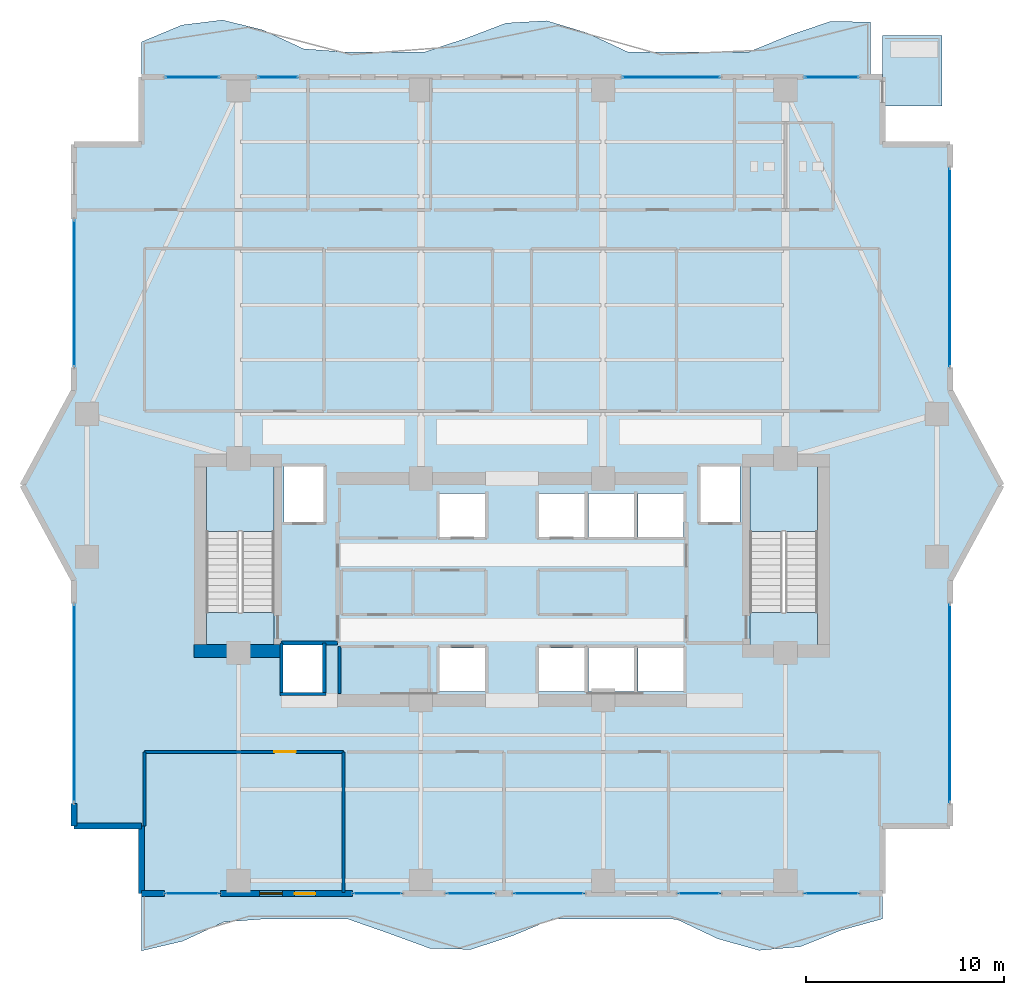
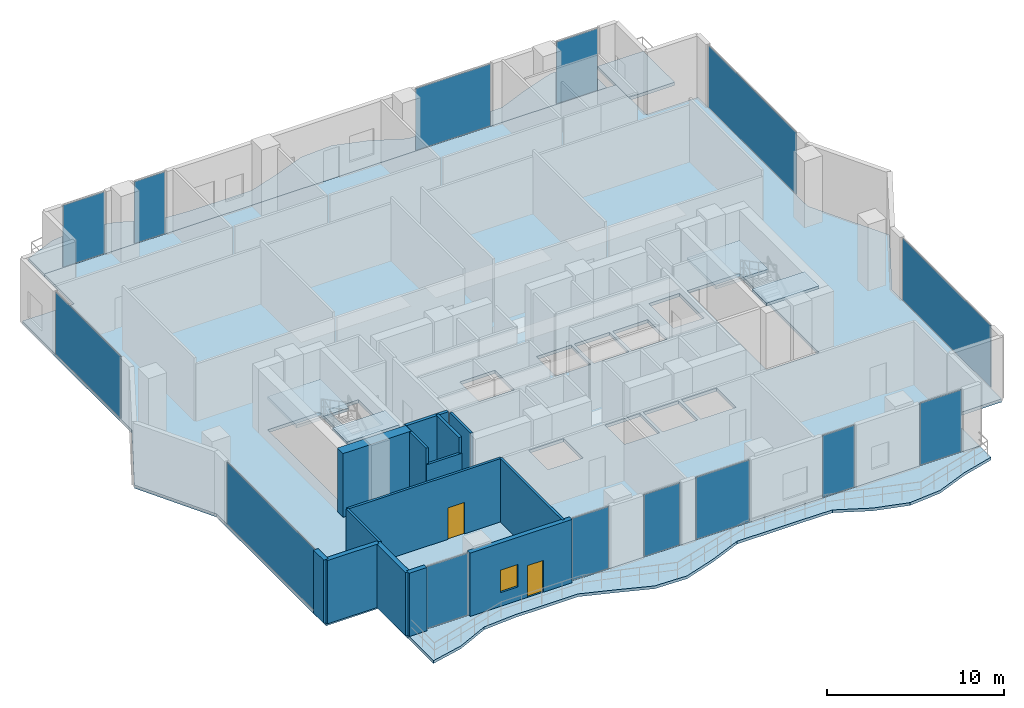
# One storey, part 23 of 31: 14 plates, 14 walls, 8 slabs, 2 doors, 1 window, 3 openings, 16 elements without a shape of their own.
"""IFC4 building model written with IfcOpenShell, lengths in metres."""

from ifc_helpers import new_model, si_unit, direction, frame, frame_2d, origin, origin_2d, place, context, subcontext, project, spatial, polyline, rectangle, outline, extrude, material, layer, layer_set, type_object, element, fill, aggregate, save


model = new_model("IFC4")

# Units and contexts
model_context = context("Model", 3, precision=1e-05, world=origin(), true_north=direction((0.0, 1.0)))
body_context = subcontext(model_context, "Body", "Model", "MODEL_VIEW")
ifc_project = project(units=[si_unit("LENGTHUNIT", "METRE"), si_unit("AREAUNIT", "SQUARE_METRE"), si_unit("VOLUMEUNIT", "CUBIC_METRE"), si_unit("PLANEANGLEUNIT", "RADIAN"), si_unit("MASSUNIT", "GRAM", prefix="KILO")], contexts=[model_context])

# Site, building, storey
site_placement = place(None, origin())
site = spatial("IfcSite", under=ifc_project, at=site_placement, CompositionType="ELEMENT")
building_placement = place(site_placement, origin())
building = spatial("IfcBuilding", under=site, at=building_placement, Name="Zuhayl Quay Hotel", CompositionType="ELEMENT")
storey_placement = place(building_placement, frame((0.0, 0.0, 172.800048828125)))
storey = spatial("IfcBuildingStorey", under=building, at=storey_placement, Name="L43", CompositionType="ELEMENT", Elevation=172.800048828125)

# Curtain wall, plate
ifc_material_1 = material(Name="Anodised Aluminium 6063-T6", Category="aluminium")
ifc_layer_1 = layer(ifc_material_1, 0.175048828125, Name="Anodised Aluminium 6063-T6", Category="aluminium")
ifc_layer_set_1 = layer_set([ifc_layer_1], Name="Anodised Aluminium 6063-T6")
curtain_wall_type = type_object("IfcCurtainWallType", Name="CW_SYS_Z3", PredefinedType="USERDEFINED", material=ifc_layer_set_1)
curtain_wall_1_placement = place(storey_placement, origin())
curtain_wall_1 = element("IfcCurtainWall", 1, at=curtain_wall_1_placement, inside=storey, type_object=curtain_wall_type, Name="L43 Curtain Wall ENV_L43_E02_CW1", ObjectType="UNITISED CURTAIN WALL", PredefinedType="USERDEFINED")
ifc_material_2 = material(Name="Dark Ceramic-Fritted Solar Glass", Category="glass")
ifc_layer_2 = layer(ifc_material_2, 0.0400390625, Name="Dark Ceramic-Fritted Solar Glass", Category="glass")
ifc_layer_set_2 = layer_set([ifc_layer_2], Name="Dark Ceramic-Fritted Solar Glass")
plate_type = type_object("IfcPlateType", Name="PN_OP_VENT_Z3", PredefinedType="CURTAIN_PANEL", material=ifc_layer_set_2)
plate_1_placement = place(storey_placement, frame((-22.10009765625, 2.0, 0.054931640625), z_axis=(0.0, 0.0, 1.0), x_axis=(0.0, 1.0, 0.0)))
plate_1 = element("IfcPlate", 2, at=plate_1_placement, type_object=plate_type, Name="CW-Z3 panel 1.1", PredefinedType="CURTAIN_PANEL", context=body_context, shape_type="SweptSolid", body=[
    extrude(rectangle(XDim=9.969970703125, YDim=0.0400390625, at=origin_2d()), origin(), (0.0, 0.0, 1.0), 4.27001953125),
])
aggregate(curtain_wall_1, [plate_1])

curtain_wall_2_placement = place(storey_placement, origin())
curtain_wall_2 = element("IfcCurtainWall", 3, at=curtain_wall_2_placement, inside=storey, type_object=curtain_wall_type, Name="L43 Curtain Wall ENV_L43_E05_CW1", ObjectType="UNITISED CURTAIN WALL", PredefinedType="USERDEFINED")
plate_2_placement = place(storey_placement, frame((-22.10009765625, 22.699951171875, 0.054931640625), z_axis=(0.0, 0.0, 1.0), x_axis=(0.0, 1.0, 0.0)))
plate_2 = element("IfcPlate", 4, at=plate_2_placement, type_object=plate_type, Name="CW-Z3 panel 1.1", PredefinedType="CURTAIN_PANEL", context=body_context, shape_type="SweptSolid", body=[
    extrude(rectangle(XDim=7.3701171875, YDim=0.0400390625, at=origin_2d()), origin(), (0.0, 0.0, 1.0), 4.27001953125),
])
aggregate(curtain_wall_2, [plate_2])

curtain_wall_3_placement = place(storey_placement, origin())
curtain_wall_3 = element("IfcCurtainWall", 5, at=curtain_wall_3_placement, inside=storey, type_object=curtain_wall_type, Name="L43 Curtain Wall ENV_L43_N_CW1", ObjectType="UNITISED CURTAIN WALL", PredefinedType="USERDEFINED")
plate_3_placement = place(storey_placement, frame((-16.135009765625, 33.60009765625, 0.054931640625), z_axis=(0.0, 0.0, 1.0), x_axis=(1.0, 0.0, 0.0)))
plate_3 = element("IfcPlate", 6, at=plate_3_placement, type_object=plate_type, Name="CW-Z3 panel 1.1", PredefinedType="CURTAIN_PANEL", context=body_context, shape_type="SweptSolid", body=[
    extrude(rectangle(XDim=2.699951171875, YDim=0.0400390625, at=origin_2d()), origin(), (0.0, 0.0, 1.0), 4.27001953125),
])
aggregate(curtain_wall_3, [plate_3])

curtain_wall_4_placement = place(storey_placement, origin())
curtain_wall_4 = element("IfcCurtainWall", 7, at=curtain_wall_4_placement, inside=storey, type_object=curtain_wall_type, Name="L43 Curtain Wall ENV_L43_N_CW2", ObjectType="UNITISED CURTAIN WALL", PredefinedType="USERDEFINED")
plate_4_placement = place(storey_placement, frame((-11.81494140625, 33.60009765625, 0.054931640625), z_axis=(0.0, 0.0, 1.0), x_axis=(1.0, 0.0, 0.0)))
plate_4 = element("IfcPlate", 8, at=plate_4_placement, type_object=plate_type, Name="CW-Z3 panel 1.1", PredefinedType="CURTAIN_PANEL", context=body_context, shape_type="SweptSolid", body=[
    extrude(rectangle(XDim=2.0, YDim=0.0400390625, at=origin_2d()), origin(), (0.0, 0.0, 1.0), 4.27001953125),
])
aggregate(curtain_wall_4, [plate_4])

curtain_wall_5_placement = place(storey_placement, origin())
curtain_wall_5 = element("IfcCurtainWall", 9, at=curtain_wall_5_placement, inside=storey, type_object=curtain_wall_type, Name="L43 Curtain Wall ENV_L43_N_CW3", ObjectType="UNITISED CURTAIN WALL", PredefinedType="USERDEFINED")
plate_5_placement = place(storey_placement, frame((8.034912109375, 33.60009765625, 0.054931640625), z_axis=(0.0, 0.0, 1.0), x_axis=(1.0, 0.0, 0.0)))
plate_5 = element("IfcPlate", 10, at=plate_5_placement, type_object=plate_type, Name="CW-Z3 panel 1.1", PredefinedType="CURTAIN_PANEL", context=body_context, shape_type="SweptSolid", body=[
    extrude(rectangle(XDim=4.89990234375, YDim=0.0400390625, at=origin_2d()), origin(), (0.0, 0.0, 1.0), 4.27001953125),
])
aggregate(curtain_wall_5, [plate_5])

curtain_wall_6_placement = place(storey_placement, origin())
curtain_wall_6 = element("IfcCurtainWall", 11, at=curtain_wall_6_placement, inside=storey, type_object=curtain_wall_type, Name="L43 Curtain Wall ENV_L43_N_CW4", ObjectType="UNITISED CURTAIN WALL", PredefinedType="USERDEFINED")
plate_6_placement = place(storey_placement, frame((16.135009765625, 33.60009765625, 0.054931640625), z_axis=(0.0, 0.0, 1.0), x_axis=(1.0, 0.0, 0.0)))
plate_6 = element("IfcPlate", 12, at=plate_6_placement, type_object=plate_type, Name="CW-Z3 panel 1.1", PredefinedType="CURTAIN_PANEL", context=body_context, shape_type="SweptSolid", body=[
    extrude(rectangle(XDim=2.699951171875, YDim=0.0400390625, at=origin_2d()), origin(), (0.0, 0.0, 1.0), 4.27001953125),
])
aggregate(curtain_wall_6, [plate_6])

curtain_wall_7_placement = place(storey_placement, origin())
curtain_wall_7 = element("IfcCurtainWall", 13, at=curtain_wall_7_placement, inside=storey, type_object=curtain_wall_type, Name="L43 Curtain Wall ENV_L43_E11_CW1", ObjectType="UNITISED CURTAIN WALL", PredefinedType="USERDEFINED")
plate_7_placement = place(storey_placement, frame((22.10009765625, 24.0, 0.054931640625), z_axis=(0.0, 0.0, 1.0), x_axis=(0.0, -1.0, 0.0)))
plate_7 = element("IfcPlate", 14, at=plate_7_placement, type_object=plate_type, Name="CW-Z3 panel 1.1", PredefinedType="CURTAIN_PANEL", context=body_context, shape_type="SweptSolid", body=[
    extrude(rectangle(XDim=9.969970703125, YDim=0.0400390625, at=origin_2d()), origin(), (0.0, 0.0, 1.0), 4.27001953125),
])
aggregate(curtain_wall_7, [plate_7])

curtain_wall_8_placement = place(storey_placement, origin())
curtain_wall_8 = element("IfcCurtainWall", 15, at=curtain_wall_8_placement, inside=storey, type_object=curtain_wall_type, Name="L43 Curtain Wall ENV_L43_E14_CW1", ObjectType="UNITISED CURTAIN WALL", PredefinedType="USERDEFINED")
plate_8_placement = place(storey_placement, frame((22.10009765625, 2.0, 0.054931640625), z_axis=(0.0, 0.0, 1.0), x_axis=(0.0, -1.0, 0.0)))
plate_8 = element("IfcPlate", 16, at=plate_8_placement, type_object=plate_type, Name="CW-Z3 panel 1.1", PredefinedType="CURTAIN_PANEL", context=body_context, shape_type="SweptSolid", body=[
    extrude(rectangle(XDim=9.969970703125, YDim=0.0400390625, at=origin_2d()), origin(), (0.0, 0.0, 1.0), 4.27001953125),
])
aggregate(curtain_wall_8, [plate_8])

curtain_wall_9_placement = place(storey_placement, origin())
curtain_wall_9 = element("IfcCurtainWall", 17, at=curtain_wall_9_placement, inside=storey, type_object=curtain_wall_type, Name="L43 Curtain Wall ENV_L43_S_CW1", ObjectType="UNITISED CURTAIN WALL", PredefinedType="USERDEFINED")
plate_9_placement = place(storey_placement, frame((16.135009765625, -7.60009765625, 0.054931640625), z_axis=(0.0, 0.0, 1.0), x_axis=(-1.0, 0.0, 0.0)))
plate_9 = element("IfcPlate", 18, at=plate_9_placement, type_object=plate_type, Name="CW-Z3 panel 1.1", PredefinedType="CURTAIN_PANEL", context=body_context, shape_type="SweptSolid", body=[
    extrude(rectangle(XDim=2.699951171875, YDim=0.0400390625, at=origin_2d()), origin(), (0.0, 0.0, 1.0), 4.27001953125),
])
aggregate(curtain_wall_9, [plate_9])

curtain_wall_10_placement = place(storey_placement, origin())
curtain_wall_10 = element("IfcCurtainWall", 19, at=curtain_wall_10_placement, inside=storey, type_object=curtain_wall_type, Name="L43 Curtain Wall ENV_L43_S_CW2", ObjectType="UNITISED CURTAIN WALL", PredefinedType="USERDEFINED")
plate_10_placement = place(storey_placement, frame((9.449951171875, -7.60009765625, 0.054931640625), z_axis=(0.0, 0.0, 1.0), x_axis=(-1.0, 0.0, 0.0)))
plate_10 = element("IfcPlate", 20, at=plate_10_placement, type_object=plate_type, Name="CW-Z3 panel 1.1", PredefinedType="CURTAIN_PANEL", context=body_context, shape_type="SweptSolid", body=[
    extrude(rectangle(XDim=2.070068359375, YDim=0.0400390625, at=origin_2d()), origin(), (0.0, 0.0, 1.0), 4.27001953125),
])
aggregate(curtain_wall_10, [plate_10])

curtain_wall_11_placement = place(storey_placement, origin())
curtain_wall_11 = element("IfcCurtainWall", 21, at=curtain_wall_11_placement, inside=storey, type_object=curtain_wall_type, Name="L43 Curtain Wall ENV_L43_S_CW3", ObjectType="UNITISED CURTAIN WALL", PredefinedType="USERDEFINED")
plate_11_placement = place(storey_placement, frame((1.864990234375, -7.60009765625, 0.054931640625), z_axis=(0.0, 0.0, 1.0), x_axis=(-1.0, 0.0, 0.0)))
plate_11 = element("IfcPlate", 22, at=plate_11_placement, type_object=plate_type, Name="CW-Z3 panel 1.1", PredefinedType="CURTAIN_PANEL", context=body_context, shape_type="SweptSolid", body=[
    extrude(rectangle(XDim=3.5, YDim=0.0400390625, at=origin_2d()), origin(), (0.0, 0.0, 1.0), 4.27001953125),
])
aggregate(curtain_wall_11, [plate_11])

curtain_wall_12_placement = place(storey_placement, origin())
curtain_wall_12 = element("IfcCurtainWall", 23, at=curtain_wall_12_placement, inside=storey, type_object=curtain_wall_type, Name="L43 Curtain Wall ENV_L43_S_CW4", ObjectType="UNITISED CURTAIN WALL", PredefinedType="USERDEFINED")
plate_12_placement = place(storey_placement, frame((-2.10009765625, -7.60009765625, 0.054931640625), z_axis=(0.0, 0.0, 1.0), x_axis=(-1.0, 0.0, 0.0)))
plate_12 = element("IfcPlate", 24, at=plate_12_placement, type_object=plate_type, Name="CW-Z3 panel 1.1", PredefinedType="CURTAIN_PANEL", context=body_context, shape_type="SweptSolid", body=[
    extrude(rectangle(XDim=2.3701171875, YDim=0.0400390625, at=origin_2d()), origin(), (0.0, 0.0, 1.0), 4.27001953125),
])
aggregate(curtain_wall_12, [plate_12])

curtain_wall_13_placement = place(storey_placement, origin())
curtain_wall_13 = element("IfcCurtainWall", 25, at=curtain_wall_13_placement, inside=storey, type_object=curtain_wall_type, Name="L43 Curtain Wall ENV_L43_S_CW5", ObjectType="UNITISED CURTAIN WALL", PredefinedType="USERDEFINED")
plate_13_placement = place(storey_placement, frame((-6.784912109375, -7.60009765625, 0.054931640625), z_axis=(0.0, 0.0, 1.0), x_axis=(-1.0, 0.0, 0.0)))
plate_13 = element("IfcPlate", 26, at=plate_13_placement, type_object=plate_type, Name="CW-Z3 panel 1.1", PredefinedType="CURTAIN_PANEL", context=body_context, shape_type="SweptSolid", body=[
    extrude(rectangle(XDim=2.39990234375, YDim=0.0400390625, at=origin_2d()), origin(), (0.0, 0.0, 1.0), 4.27001953125),
])
aggregate(curtain_wall_13, [plate_13])

curtain_wall_14_placement = place(storey_placement, origin())
curtain_wall_14 = element("IfcCurtainWall", 27, at=curtain_wall_14_placement, inside=storey, type_object=curtain_wall_type, Name="L43 Curtain Wall ENV_L43_S_CW6", ObjectType="UNITISED CURTAIN WALL", PredefinedType="USERDEFINED")
plate_14_placement = place(storey_placement, frame((-16.135009765625, -7.60009765625, 0.054931640625), z_axis=(0.0, 0.0, 1.0), x_axis=(-1.0, 0.0, 0.0)))
plate_14 = element("IfcPlate", 28, at=plate_14_placement, type_object=plate_type, Name="CW-Z3 panel 1.1", PredefinedType="CURTAIN_PANEL", context=body_context, shape_type="SweptSolid", body=[
    extrude(rectangle(XDim=2.699951171875, YDim=0.0400390625, at=origin_2d()), origin(), (0.0, 0.0, 1.0), 4.27001953125),
])
aggregate(curtain_wall_14, [plate_14])

# Slabs
ifc_material_3 = material(Name="Concrete C45/55", Category="concrete")
ifc_layer_3 = layer(ifc_material_3, 0.195068359375, Name="Concrete C45/55", Category="concrete")
ifc_layer_set_3 = layer_set([ifc_layer_3], Name="Concrete C45/55")
slab_type_1 = type_object("IfcSlabType", Name="SL_BALCONY_195", PredefinedType="FLOOR", material=ifc_layer_set_3)
slab_1_placement = place(storey_placement, frame((0.0, 0.0, -0.195068359375)))
element("IfcSlab", 29, at=slab_1_placement, inside=storey, type_object=slab_type_1, Name="L43 Exterior Rippling Balcony Slab North", PredefinedType="FLOOR", context=body_context, shape_type="SweptSolid", body=[
    extrude(outline(polyline([(-18.699951171875, 33.60009765625), (18.10009765625, 33.60009765625), (18.10009765625, 36.391845703125), (16.0556640625, 36.408935546875), (14.010986328125, 35.71826171875), (11.966796875, 34.8798828125), (9.922119140625, 34.8798828125), (7.877685546875, 34.8798828125), (5.833251953125, 34.8798828125), (3.788818359375, 35.8369140625), (1.744384765625, 36.45166015625), (-0.300048828125, 36.33251953125), (-2.344482421875, 35.552490234375), (-4.388916015625, 34.8798828125), (-6.433349609375, 34.8798828125), (-8.477783203125, 34.8798828125), (-10.522216796875, 35.032958984375), (-12.566650390625, 35.984619140625), (-14.611083984375, 36.48779296875), (-16.655517578125, 36.235107421875), (-18.699951171875, 35.380615234375), (-18.699951171875, 33.60009765625)])), origin(), (0.0, 0.0, 1.0), 0.195068359375),
])
slab_2_placement = place(storey_placement, frame((0.0, 0.0, -0.195068359375)))
element("IfcSlab", 30, at=slab_2_placement, inside=storey, type_object=slab_type_1, Name="L43 Exterior Rippling Balcony Slab South", PredefinedType="FLOOR", context=body_context, shape_type="SweptSolid", body=[
    extrude(outline(polyline([(-18.699951171875, -10.4931640625), (-16.622314453125, -10.006591796875), (-14.54443359375, -9.043701171875), (-12.466796875, -8.8798828125), (-10.388916015625, -8.8798828125), (-8.31103515625, -8.8798828125), (-6.2333984375, -9.60498046875), (-4.155517578125, -10.3662109375), (-2.077880859375, -10.424560546875), (0.0, -9.743408203125), (2.077880859375, -8.8798828125), (4.155517578125, -8.8798828125), (6.2333984375, -8.8798828125), (8.31103515625, -8.900146484375), (10.388916015625, -9.884521484375), (12.466796875, -10.46923828125), (14.54443359375, -10.286376953125), (16.622314453125, -9.450927734375), (18.699951171875, -8.8798828125), (18.699951171875, -7.60009765625), (-18.699951171875, -7.60009765625), (-18.699951171875, -10.4931640625)])), origin(), (0.0, 0.0, 1.0), 0.195068359375),
])
ifc_layer_4 = layer(ifc_material_3, 0.219970703125, Name="Concrete C45/55", Category="concrete")
ifc_layer_set_4 = layer_set([ifc_layer_4], Name="Concrete C45/55")
slab_type_2 = type_object("IfcSlabType", Name="SL_FLOOR_220", PredefinedType="FLOOR", material=ifc_layer_set_4)
slab_3_placement = place(storey_placement, frame((0.0, 0.0, -0.219970703125)))
element("IfcSlab", 31, at=slab_3_placement, inside=storey, type_object=slab_type_2, Name="L43 Structural Floor Slab", PredefinedType="FLOOR", context=body_context, shape_type="SweptSolid", body=[
    extrude(outline(polyline([(-18.699951171875, -7.60009765625), (18.699951171875, -7.60009765625), (18.699951171875, -4.199951171875), (22.10009765625, -4.199951171875), (22.10009765625, 8.199951171875), (24.699951171875, 13.0), (22.10009765625, 17.800048828125), (22.10009765625, 30.199951171875), (18.699951171875, 30.199951171875), (18.699951171875, 33.60009765625), (-18.699951171875, 33.60009765625), (-18.699951171875, 30.199951171875), (-22.10009765625, 30.199951171875), (-22.10009765625, 17.800048828125), (-24.699951171875, 13.0), (-22.10009765625, 8.199951171875), (-22.10009765625, -4.199951171875), (-18.699951171875, -4.199951171875), (-18.699951171875, -7.60009765625)]), holes=[polyline([(-12.0, 4.949951171875), (-12.0, 13.949951171875), (-15.429931640625, 13.949951171875), (-15.429931640625, 4.949951171875), (-12.0, 4.949951171875)]), polyline([(15.429931640625, 4.949951171875), (15.429931640625, 13.949951171875), (12.0, 13.949951171875), (12.0, 4.949951171875), (15.429931640625, 4.949951171875)]), polyline([(-11.5, 11.14990234375), (-9.5, 11.14990234375), (-9.5, 13.949951171875), (-11.5, 13.949951171875), (-11.5, 11.14990234375)]), polyline([(9.5, 11.14990234375), (11.5, 11.14990234375), (11.5, 13.949951171875), (9.5, 13.949951171875), (9.5, 11.14990234375)]), polyline([(-3.64990234375, 2.60009765625), (-1.35009765625, 2.60009765625), (-1.35009765625, 4.800048828125), (-3.64990234375, 4.800048828125), (-3.64990234375, 2.60009765625)]), polyline([(1.35009765625, 2.60009765625), (3.64990234375, 2.60009765625), (3.64990234375, 4.800048828125), (1.35009765625, 4.800048828125), (1.35009765625, 2.60009765625)]), polyline([(-3.64990234375, 10.39990234375), (-1.35009765625, 10.39990234375), (-1.35009765625, 12.60009765625), (-3.64990234375, 12.60009765625), (-3.64990234375, 10.39990234375)]), polyline([(1.35009765625, 10.39990234375), (3.64990234375, 10.39990234375), (3.64990234375, 12.60009765625), (1.35009765625, 12.60009765625), (1.35009765625, 10.39990234375)]), polyline([(3.85009765625, 2.60009765625), (6.14990234375, 2.60009765625), (6.14990234375, 4.800048828125), (3.85009765625, 4.800048828125), (3.85009765625, 2.60009765625)]), polyline([(6.35009765625, 2.60009765625), (8.64990234375, 2.60009765625), (8.64990234375, 4.800048828125), (6.35009765625, 4.800048828125), (6.35009765625, 2.60009765625)]), polyline([(3.85009765625, 10.39990234375), (6.14990234375, 10.39990234375), (6.14990234375, 12.60009765625), (3.85009765625, 12.60009765625), (3.85009765625, 10.39990234375)]), polyline([(6.35009765625, 10.39990234375), (8.64990234375, 10.39990234375), (8.64990234375, 12.60009765625), (6.35009765625, 12.60009765625), (6.35009765625, 10.39990234375)]), polyline([(-11.550048828125, 2.550048828125), (-9.550048828125, 2.550048828125), (-9.550048828125, 4.949951171875), (-11.550048828125, 4.949951171875), (-11.550048828125, 2.550048828125)])]), origin(), (0.0, 0.0, 1.0), 0.219970703125),
])

# Stair, slabs
stair_type = type_object("IfcStairType", Name="ST_DOGLEG_TOWER", PredefinedType="HALF_TURN_STAIR", material=ifc_material_3)
stair_1_placement = place(storey_placement, origin())
stair_1 = element("IfcStair", 32, at=stair_1_placement, inside=storey, type_object=stair_type, Name="L43 Smokeproof Exit Stair ST1", PredefinedType="HALF_TURN_STAIR")
ifc_layer_5 = layer(ifc_material_3, 0.199951171875, Name="Concrete C45/55", Category="concrete")
ifc_layer_set_5 = layer_set([ifc_layer_5], Name="Concrete C45/55")
slab_type_3 = type_object("IfcSlabType", Name="SL_STAIR_LANDING_200", PredefinedType="LANDING", material=ifc_layer_set_5)
slab_4_placement = place(storey_placement, frame((0.0, 0.0, 2.099853515625)))
slab_4 = element("IfcSlab", 33, at=slab_4_placement, type_object=slab_type_3, Name="ST1 landing 1", PredefinedType="LANDING", context=body_context, shape_type="SweptSolid", body=[
    extrude(outline(polyline([(-12.0, 10.669921875), (-12.0, 13.949951171875), (-15.429931640625, 13.949951171875), (-15.429931640625, 10.669921875), (-12.0, 10.669921875)])), origin(), (0.0, 0.0, 1.0), 0.2001953125),
])
slab_5_placement = place(storey_placement, frame((0.0, 0.0, 4.39990234375)))
slab_5 = element("IfcSlab", 34, at=slab_5_placement, type_object=slab_type_3, Name="ST1 landing 2", PredefinedType="LANDING", context=body_context, shape_type="SweptSolid", body=[
    extrude(outline(polyline([(-12.0, 4.949951171875), (-12.0, 6.590087890625), (-15.429931640625, 6.590087890625), (-15.429931640625, 4.949951171875), (-12.0, 4.949951171875)])), origin(), (0.0, 0.0, 1.0), 0.199951171875),
])
aggregate(stair_1, [slab_4, slab_5])

stair_2_placement = place(storey_placement, origin())
stair_2 = element("IfcStair", 35, at=stair_2_placement, inside=storey, type_object=stair_type, Name="L43 Smokeproof Exit Stair ST2", PredefinedType="HALF_TURN_STAIR")
slab_6_placement = place(storey_placement, frame((0.0, 0.0, 2.099853515625)))
slab_6 = element("IfcSlab", 36, at=slab_6_placement, type_object=slab_type_3, Name="ST2 landing 1", PredefinedType="LANDING", context=body_context, shape_type="SweptSolid", body=[
    extrude(outline(polyline([(15.429931640625, 10.669921875), (15.429931640625, 13.949951171875), (12.0, 13.949951171875), (12.0, 10.669921875), (15.429931640625, 10.669921875)])), origin(), (0.0, 0.0, 1.0), 0.2001953125),
])
slab_7_placement = place(storey_placement, frame((0.0, 0.0, 4.39990234375)))
slab_7 = element("IfcSlab", 37, at=slab_7_placement, type_object=slab_type_3, Name="ST2 landing 2", PredefinedType="LANDING", context=body_context, shape_type="SweptSolid", body=[
    extrude(outline(polyline([(15.429931640625, 4.949951171875), (15.429931640625, 6.590087890625), (12.0, 6.590087890625), (12.0, 4.949951171875), (15.429931640625, 4.949951171875)])), origin(), (0.0, 0.0, 1.0), 0.199951171875),
])
aggregate(stair_2, [slab_6, slab_7])

# Slab
ifc_layer_6 = layer(ifc_material_3, 0.219970703125, Name="Concrete C45/55", Category="concrete")
ifc_layer_set_6 = layer_set([ifc_layer_6], Name="Concrete C45/55")
slab_type_4 = type_object("IfcSlabType", Name="SL_TERRACE_235", PredefinedType="FLOOR", material=ifc_layer_set_6)
slab_8_placement = place(storey_placement, frame((0.0, 0.0, -0.219970703125)))
element("IfcSlab", 38, at=slab_8_placement, inside=storey, type_object=slab_type_4, Name="L43 Exterior Sky-Terrace Slab L43_SPIRAL_NE", PredefinedType="FLOOR", context=body_context, shape_type="SweptSolid", body=[
    extrude(outline(polyline([(18.699951171875, 32.14990234375), (21.699951171875, 32.14990234375), (21.699951171875, 35.699951171875), (18.699951171875, 35.699951171875), (18.699951171875, 32.14990234375)])), origin(), (0.0, 0.0, 1.0), 0.219970703125),
])

# Walls
ifc_material_4 = material(Name="Concrete C50/60", Category="concrete")
ifc_layer_7 = layer(ifc_material_4, 0.64990234375, Name="Concrete C50/60", Category="concrete")
ifc_layer_set_7 = layer_set([ifc_layer_7], Name="Concrete C50/60")
wall_type_1 = type_object("IfcWallType", Name="WL_CORE_650", PredefinedType="SHEAR", material=ifc_layer_set_7)
wall_1_placement = place(storey_placement, frame((-16.06005859375, 4.64501953125, 0.0), z_axis=(0.0, 0.0, 1.0), x_axis=(1.0, 0.0, 0.0)))
element("IfcWall", 39, at=wall_1_placement, inside=storey, type_object=wall_type_1, Name="L43 Core Shear Wall CW_SW", PredefinedType="SHEAR", context=body_context, shape_type="SweptSolid", body=[
    extrude(rectangle(XDim=4.4599609375, YDim=0.64990234375, at=frame_2d((2.22998046875, 0.0))), origin(), (0.0, 0.0, 1.0), 4.409912109375),
])
ifc_material_5 = material(Name="Precast concrete C45/55", Category="concrete")
ifc_layer_8 = layer(ifc_material_5, 0.300048828125, Name="Precast concrete C45/55", Category="concrete")
ifc_layer_set_8 = layer_set([ifc_layer_8], Name="Precast concrete C45/55")
wall_type_2 = type_object("IfcWallType", Name="WL_EXT_300", PredefinedType="STANDARD", material=ifc_layer_set_8)
wall_2_placement = place(storey_placement, frame((-18.699951171875, -4.199951171875, 0.0), z_axis=(0.0, 0.0, 1.0), x_axis=(-1.0, 0.0, 0.0)))
element("IfcWall", 40, at=wall_2_placement, inside=storey, type_object=wall_type_2, Name="L43 Exterior Precast Wall ENV_L43_EW01", PredefinedType="STANDARD", context=body_context, shape_type="SweptSolid", body=[
    extrude(rectangle(XDim=3.400146484375, YDim=0.300048828125, at=frame_2d((1.7001953125, 0.0))), origin(), (0.0, 0.0, 1.0), 4.3798828125),
])
wall_3_placement = place(storey_placement, frame((-22.10009765625, -4.199951171875, 0.0), z_axis=(0.0, 0.0, 1.0), x_axis=(0.0, 1.0, 0.0)))
element("IfcWall", 41, at=wall_3_placement, inside=storey, type_object=wall_type_2, Name="L43 Exterior Precast Wall ENV_L43_E02_EW1", PredefinedType="STANDARD", context=body_context, shape_type="SweptSolid", body=[
    extrude(rectangle(XDim=1.14990234375, YDim=0.300048828125, at=frame_2d((0.574951171875, 0.0))), origin(), (0.0, 0.0, 1.0), 4.3798828125),
])

# Wall, openings, door, window
wall_4_placement = place(storey_placement, frame((-8.050048828125, -7.60009765625, 0.0), z_axis=(0.0, 0.0, 1.0), x_axis=(-1.0, 0.0, 0.0)))
wall_4 = element("IfcWall", 42, at=wall_4_placement, inside=storey, type_object=wall_type_2, Name="L43 Exterior Precast Wall ENV_L43_S_EW6", PredefinedType="STANDARD", context=body_context, shape_type="SweptSolid", body=[
    extrude(rectangle(XDim=6.669921875, YDim=0.300048828125, at=frame_2d((3.3349609375, 0.0))), origin(), (0.0, 0.0, 1.0), 4.3798828125),
])
opening_1_placement = place(wall_4_placement, frame((1.875, 0.0, 0.0)))
opening_1 = element("IfcOpeningElement", 43, at=opening_1_placement, cuts=wall_4, Name="Opening DG1", PredefinedType="OPENING", context=body_context, shape_type="SweptSolid", body=[
    extrude(rectangle(XDim=1.050048828125, YDim=2.199951171875, at=frame_2d((0.52490234375, 1.10009765625))), frame((0.0, 0.159912109375, 0.0), z_axis=(0.0, -1.0, 0.0), x_axis=(1.0, 0.0, 0.0)), (0.0, 0.0, 1.0), 0.320068359375),
])
opening_2_placement = place(wall_4_placement, frame((3.53759765625, 0.0, 0.949951171875)))
opening_2 = element("IfcOpeningElement", 44, at=opening_2_placement, cuts=wall_4, Name="Opening W01N", PredefinedType="OPENING", context=body_context, shape_type="SweptSolid", body=[
    extrude(rectangle(XDim=1.14990234375, YDim=1.550048828125, at=frame_2d((0.574951171875, 0.77490234375))), frame((0.0, 0.159912109375, 0.0), z_axis=(0.0, -1.0, 0.0), x_axis=(1.0, 0.0, 0.0)), (0.0, 0.0, 1.0), 0.320068359375),
])
ifc_material_6 = material(Name="Anodised Aluminium and Dark Solar Glass", Category="aluminium")
door_type_1 = type_object("IfcDoorType", Name="DR_EXT_TERR_1050", OperationType="NOTDEFINED", PredefinedType="DOOR", material=ifc_material_6)
door_1_placement = place(opening_1_placement, origin())
door_1 = element("IfcDoor", 45, at=door_1_placement, inside=storey, type_object=door_type_1, Name="L43 South Rippling Balcony Door", OperationType="SINGLE_SWING_RIGHT", OverallHeight=2.199951171875, OverallWidth=1.050048828125, PredefinedType="DOOR", context=body_context, shape_type="SweptSolid", body=[
    extrude(rectangle(XDim=1.050048828125, YDim=2.199951171875, at=frame_2d((0.52490234375, 1.10009765625))), frame((0.0, 0.02490234375, 0.0), z_axis=(0.0, -1.0, 0.0), x_axis=(1.0, 0.0, 0.0)), (0.0, 0.0, 1.0), 0.050048828125),
])
fill(opening_1, door_1)
window_type = type_object("IfcWindowType", Name="WN_NOTCH_1350", PartitioningType="SINGLE_PANEL", PredefinedType="WINDOW", material=ifc_material_2)
window_placement = place(opening_2_placement, origin())
window = element("IfcWindow", 46, at=window_placement, inside=storey, type_object=window_type, Name="L43 Operable Facade Window 6-1", OverallHeight=1.550048828125, OverallWidth=1.14990234375, PartitioningType="SINGLE_PANEL", PredefinedType="WINDOW", context=body_context, shape_type="SweptSolid", body=[
    extrude(rectangle(XDim=1.14990234375, YDim=1.550048828125, at=frame_2d((0.574951171875, 0.77490234375))), frame((0.0, 0.030029296875, 0.0), z_axis=(0.0, -1.0, 0.0), x_axis=(1.0, 0.0, 0.0)), (0.0, 0.0, 1.0), 0.06005859375),
])
fill(opening_2, window)

# Walls
wall_5_placement = place(storey_placement, frame((-17.550048828125, -7.60009765625, 0.0), z_axis=(0.0, 0.0, 1.0), x_axis=(-1.0, 0.0, 0.0)))
element("IfcWall", 47, at=wall_5_placement, inside=storey, type_object=wall_type_2, Name="L43 Exterior Precast Wall ENV_L43_S_EW7", PredefinedType="STANDARD", context=body_context, shape_type="SweptSolid", body=[
    extrude(rectangle(XDim=1.14990234375, YDim=0.300048828125, at=frame_2d((0.574951171875, 0.0))), origin(), (0.0, 0.0, 1.0), 4.3798828125),
])
wall_6_placement = place(storey_placement, frame((-18.699951171875, -7.60009765625, 0.0), z_axis=(0.0, 0.0, 1.0), x_axis=(0.0, 1.0, 0.0)))
element("IfcWall", 48, at=wall_6_placement, inside=storey, type_object=wall_type_2, Name="L43 Exterior Precast Wall ENV_L43_EW18", PredefinedType="STANDARD", context=body_context, shape_type="SweptSolid", body=[
    extrude(rectangle(XDim=3.400146484375, YDim=0.300048828125, at=frame_2d((1.7001953125, 0.0))), origin(), (0.0, 0.0, 1.0), 4.3798828125),
])
ifc_material_7 = material(Name="Acoustic Gypsum Partition STC-58")
ifc_layer_9 = layer(ifc_material_7, 0.14990234375, Name="Acoustic Gypsum Partition STC-58")
ifc_layer_set_9 = layer_set([ifc_layer_9], Name="Acoustic Gypsum Partition STC-58")
wall_type_3 = type_object("IfcWallType", Name="WL_PART_150", PredefinedType="PARTITIONING", material=ifc_layer_set_9)
wall_7_placement = place(storey_placement, frame((-8.7099609375, 2.489990234375, 0.0), z_axis=(0.0, 0.0, 1.0), x_axis=(0.0, 1.0, 0.0)))
element("IfcWall", 49, at=wall_7_placement, inside=storey, type_object=wall_type_3, Name="L43 Partition IW_L43_FLP_S_W", PredefinedType="PARTITIONING", context=body_context, shape_type="SweptSolid", body=[
    extrude(rectangle(XDim=2.3701171875, YDim=0.14990234375, at=frame_2d((1.18505859375, 0.0))), origin(), (0.0, 0.0, 1.0), 4.3798828125),
])
wall_8_placement = place(storey_placement, frame((-18.550048828125, -4.199951171875, 0.0), z_axis=(0.0, 0.0, 1.0), x_axis=(0.0, 1.0, 0.0)))
element("IfcWall", 50, at=wall_8_placement, inside=storey, type_object=wall_type_3, Name="L43 Partition IW_L43_THERM_1_W", PredefinedType="PARTITIONING", context=body_context, shape_type="SweptSolid", body=[
    extrude(rectangle(XDim=3.75, YDim=0.14990234375, at=frame_2d((1.875, 0.0))), origin(), (0.0, 0.0, 1.0), 4.3798828125),
])
wall_9_placement = place(storey_placement, frame((-8.5, -7.5400390625, 0.0), z_axis=(0.0, 0.0, 1.0), x_axis=(0.0, 1.0, 0.0)))
element("IfcWall", 51, at=wall_9_placement, inside=storey, type_object=wall_type_3, Name="L43 Partition IW_L43_THERM_1_E", PredefinedType="PARTITIONING", context=body_context, shape_type="SweptSolid", body=[
    extrude(rectangle(XDim=7.090087890625, YDim=0.14990234375, at=frame_2d((3.544921875, 0.0))), origin(), (0.0, 0.0, 1.0), 4.3798828125),
])

# Wall, opening, door
ifc_layer_10 = layer(ifc_material_7, 0.159912109375, Name="Acoustic Gypsum Partition STC-58")
ifc_layer_set_10 = layer_set([ifc_layer_10], Name="Acoustic Gypsum Partition STC-58")
wall_type_4 = type_object("IfcWallType", Name="WL_PART_CORR_160", PredefinedType="PARTITIONING", material=ifc_layer_set_10)
wall_10_placement = place(storey_placement, frame((-18.550048828125, -0.449951171875, 0.0), z_axis=(0.0, 0.0, 1.0), x_axis=(1.0, 0.0, 0.0)))
wall_10 = element("IfcWall", 52, at=wall_10_placement, inside=storey, type_object=wall_type_4, Name="L43 Partition IW_L43_THERM_1_N", PredefinedType="PARTITIONING", context=body_context, shape_type="SweptSolid", body=[
    extrude(rectangle(XDim=10.050048828125, YDim=0.159912109375, at=frame_2d((5.02490234375, 0.0))), origin(), (0.0, 0.0, 1.0), 4.3798828125),
])
opening_3_placement = place(wall_10_placement, frame((6.56005859375, 0.0, 0.0)))
opening_3 = element("IfcOpeningElement", 53, at=opening_3_placement, cuts=wall_10, Name="Opening D05A", PredefinedType="OPENING", context=body_context, shape_type="SweptSolid", body=[
    extrude(rectangle(XDim=1.080078125, YDim=2.179931640625, at=frame_2d((0.5400390625, 1.08984375))), frame((0.0, 0.08984375, 0.0), z_axis=(0.0, -1.0, 0.0), x_axis=(1.0, 0.0, 0.0)), (0.0, 0.0, 1.0), 0.179931640625),
])
ifc_material_8 = material(Name="Solid Walnut Acoustic Fire Door")
door_type_2 = type_object("IfcDoorType", Name="DR_INT_1100", OperationType="NOTDEFINED", PredefinedType="DOOR", material=ifc_material_8)
door_2_placement = place(opening_3_placement, origin())
door_2 = element("IfcDoor", 54, at=door_2_placement, inside=storey, type_object=door_type_2, Name="L43 Aromatic Steam Salon Door", OperationType="SINGLE_SWING_RIGHT", OverallHeight=2.179931640625, OverallWidth=1.080078125, PredefinedType="DOOR", context=body_context, shape_type="SweptSolid", body=[
    extrude(rectangle(XDim=1.080078125, YDim=2.179931640625, at=frame_2d((0.5400390625, 1.08984375))), frame((0.0, 0.02490234375, 0.0), z_axis=(0.0, -1.0, 0.0), x_axis=(1.0, 0.0, 0.0)), (0.0, 0.0, 1.0), 0.050048828125),
])
fill(opening_3, door_2)

# Walls
ifc_material_9 = material(Name="Gypsum Fireboard Assembly EI-90")
ifc_layer_11 = layer(ifc_material_9, 0.1650390625, Name="Gypsum Fireboard Assembly EI-90")
ifc_layer_set_11 = layer_set([ifc_layer_11], Name="Gypsum Fireboard Assembly EI-90")
wall_type_5 = type_object("IfcWallType", Name="WL_PART_SHAFT_160", PredefinedType="PARTITIONING", material=ifc_layer_set_11)
wall_11_placement = place(storey_placement, frame((-11.6298828125, 2.469970703125, 0.0), z_axis=(0.0, 0.0, 1.0), x_axis=(0.0, 1.0, 0.0)))
element("IfcWall", 55, at=wall_11_placement, inside=storey, type_object=wall_type_5, Name="L43 Partition IW_L43_RISER_W", PredefinedType="PARTITIONING", context=body_context, shape_type="SweptSolid", body=[
    extrude(rectangle(XDim=2.580078125, YDim=0.1650390625, at=frame_2d((1.2900390625, 0.0))), origin(), (0.0, 0.0, 1.0), 4.3798828125),
])
wall_12_placement = place(storey_placement, frame((-11.7099609375, 2.469970703125, 0.0), z_axis=(0.0, 0.0, 1.0), x_axis=(1.0, 0.0, 0.0)))
element("IfcWall", 56, at=wall_12_placement, inside=storey, type_object=wall_type_5, Name="L43 Partition IW_L43_RISER_S", PredefinedType="PARTITIONING", context=body_context, shape_type="SweptSolid", body=[
    extrude(rectangle(XDim=2.31005859375, YDim=0.1650390625, at=frame_2d((1.155029296875, 0.0))), origin(), (0.0, 0.0, 1.0), 3.280029296875),
])
ifc_layer_12 = layer(ifc_material_9, 0.179931640625, Name="Gypsum Fireboard Assembly EI-90")
ifc_layer_set_12 = layer_set([ifc_layer_12], Name="Gypsum Fireboard Assembly EI-90")
wall_type_6 = type_object("IfcWallType", Name="WL_PART_SHAFT_180", PredefinedType="PARTITIONING", material=ifc_layer_set_12)
wall_13_placement = place(storey_placement, frame((-9.469970703125, 2.449951171875, 0.0), z_axis=(0.0, 0.0, 1.0), x_axis=(0.0, 1.0, 0.0)))
element("IfcWall", 57, at=wall_13_placement, inside=storey, type_object=wall_type_6, Name="L43 Partition IW_L43_RISER_E", PredefinedType="PARTITIONING", context=body_context, shape_type="SweptSolid", body=[
    extrude(rectangle(XDim=2.60009765625, YDim=0.179931640625, at=frame_2d((1.300048828125, 0.0))), origin(), (0.0, 0.0, 1.0), 4.3798828125),
])
ifc_material_10 = material(Name="Gypsum Fireboard Assembly EI-120")
ifc_layer_13 = layer(ifc_material_10, 0.199951171875, Name="Gypsum Fireboard Assembly EI-120")
ifc_layer_set_13 = layer_set([ifc_layer_13], Name="Gypsum Fireboard Assembly EI-120")
wall_type_7 = type_object("IfcWallType", Name="WL_PART_SHAFT_200", PredefinedType="PARTITIONING", material=ifc_layer_set_13)
wall_14_placement = place(storey_placement, frame((-11.64990234375, 5.050048828125, 0.0), z_axis=(0.0, 0.0, 1.0), x_axis=(1.0, 0.0, 0.0)))
element("IfcWall", 58, at=wall_14_placement, inside=storey, type_object=wall_type_7, Name="L43 Partition IW_L43_FSAE_W_S", PredefinedType="PARTITIONING", context=body_context, shape_type="SweptSolid", body=[
    extrude(rectangle(XDim=2.849853515625, YDim=0.199951171875, at=frame_2d((1.4248046875, 0.0))), origin(), (0.0, 0.0, 1.0), 4.3798828125),
])

save(model, "model.ifc")
